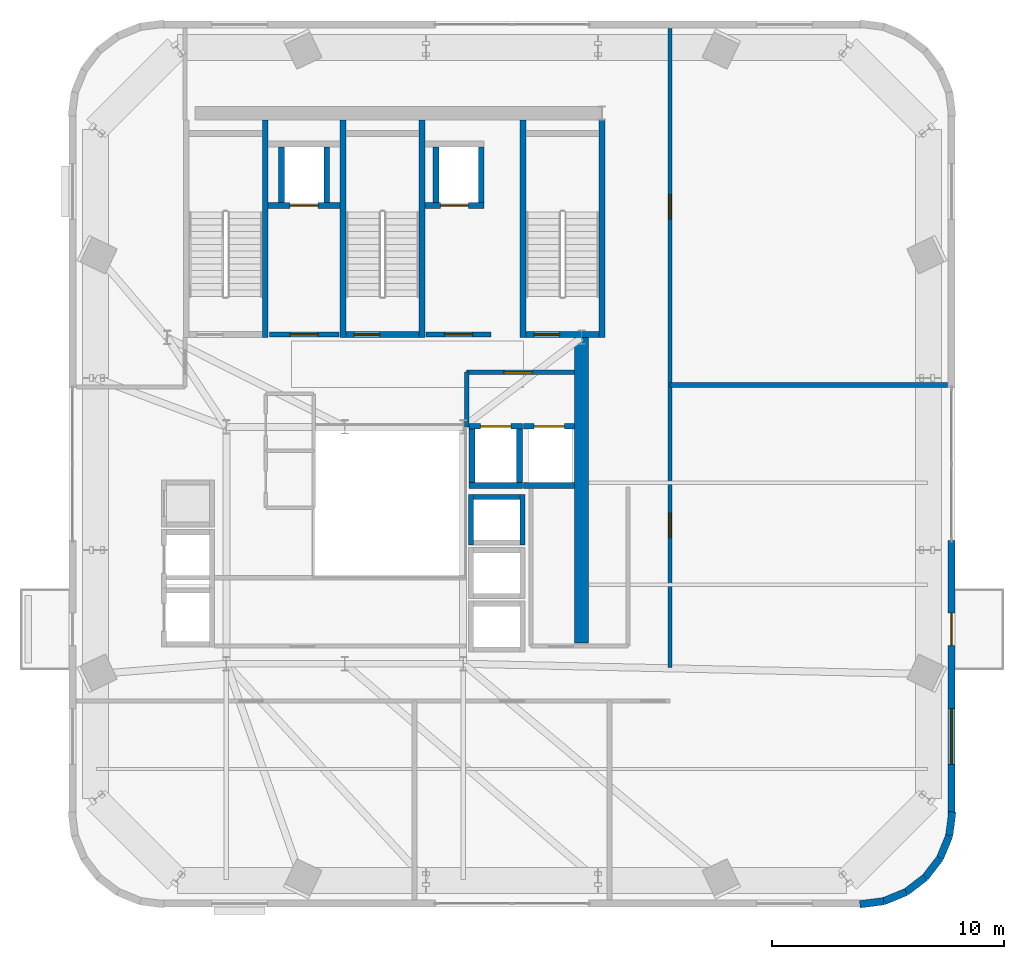
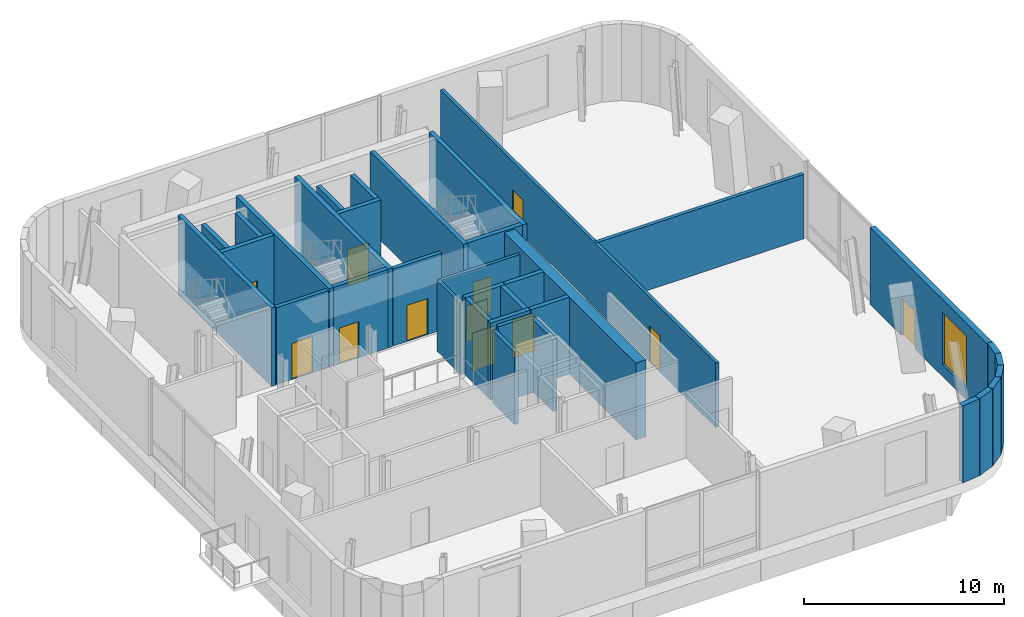
# One storey, part 7 of 11: 36 walls, 12 doors, 1 window, 13 openings.
"""IFC4 building model written with IfcOpenShell, lengths in metres."""

from ifc_helpers import new_model, si_unit, direction, frame, frame_2d, origin, place, context, subcontext, project, spatial, rectangle, extrude, source, transform, mapped, material, layer, layer_set, type_object, element, fill, save


model = new_model("IFC4")

# Units and contexts
model_context = context("Model", 3, precision=1e-05, world=origin(), true_north=direction((0.0, 1.0)))
body_context = subcontext(model_context, "Body", "Model", "MODEL_VIEW")
ifc_project = project(units=[si_unit("LENGTHUNIT", "METRE"), si_unit("AREAUNIT", "SQUARE_METRE"), si_unit("VOLUMEUNIT", "CUBIC_METRE"), si_unit("PLANEANGLEUNIT", "RADIAN"), si_unit("MASSUNIT", "GRAM", prefix="KILO")], contexts=[model_context])

# Site, building, storey
site_placement = place(None, origin())
site = spatial("IfcSite", under=ifc_project, at=site_placement, CompositionType="ELEMENT")
building_placement = place(site_placement, origin())
building = spatial("IfcBuilding", under=site, at=building_placement, Name="Vardaveli Station Tower", CompositionType="ELEMENT")
storey_placement = place(building_placement, frame((0.0, 0.0, 286.14990234375)))
storey = spatial("IfcBuildingStorey", under=building, at=storey_placement, Name="L73", CompositionType="ELEMENT", Elevation=286.14990234375)

# Wall
ifc_material_1 = material(Name="Concrete C50/60", Category="concrete")
ifc_layer_1 = layer(ifc_material_1, 0.60009765625, Name="Concrete C50/60")
ifc_layer_set_1 = layer_set([ifc_layer_1], Name="Concrete C50/60")
wall_type_1 = type_object("IfcWallType", Name="WAL-CORE-600", PredefinedType="SHEAR", material=ifc_layer_set_1)
shared_shape_1 = source(origin(), body_context, "Body", "SweptSolid", [
    extrude(rectangle(XDim=13.14990234375, YDim=0.60009765625, at=frame_2d((6.574951171875, 0.0))), origin(), (0.0, 0.0, 1.0), 4.7001953125),
])
wall_1_placement = place(storey_placement, frame((46.5, 17.5, 0.0), z_axis=(0.0, 0.0, 1.0), x_axis=(0.0, 1.0, 0.0)))
element("IfcWall", 1, at=wall_1_placement, inside=storey, type_object=wall_type_1, Name="SW-L73-EAST2", PredefinedType="SHEAR", context=body_context, shape_type="MappedRepresentation", body=[
    mapped(shared_shape_1, transform((0.0, 0.0, 0.0), scale=1.0)),
])

# Wall, openings, door, window
ifc_material_2 = material(Name="Precast concrete C45/55", Category="concrete")
ifc_layer_2 = layer(ifc_material_2, 0.320068359375, Name="Precast concrete C45/55")
ifc_layer_set_2 = layer_set([ifc_layer_2], Name="Precast concrete C45/55")
wall_type_2 = type_object("IfcWallType", Name="WAL-EXT-STONE-320", PredefinedType="SOLIDWALL", material=ifc_layer_set_2)
shared_shape_2 = source(origin(), body_context, "Body", "SweptSolid", [
    extrude(rectangle(XDim=11.77294921875, YDim=0.320068359375, at=frame_2d((5.886474609375, 0.0))), origin(), (0.0, 0.0, 1.0), 4.7001953125),
])
wall_2_placement = place(storey_placement, frame((62.419921875, 10.126953125, 0.0), z_axis=(0.0, 0.0, 1.0), x_axis=(0.0, 1.0, 0.0)))
wall_2 = element("IfcWall", 2, at=wall_2_placement, inside=storey, type_object=wall_type_2, Name="EW-L73-E1", PredefinedType="SOLIDWALL", context=body_context, shape_type="MappedRepresentation", body=[
    mapped(shared_shape_2, transform((0.0, 0.0, 0.0), scale=1.0)),
])
shared_shape_3 = source(origin(), body_context, "Body", "SweptSolid", [
    extrude(rectangle(XDim=1.39990234375, YDim=2.300048828125, at=frame_2d((0.699951171875, 1.14990234375))), frame((0.0, 0.169921875, 0.0), z_axis=(0.0, -1.0, 0.0), x_axis=(1.0, 0.0, 0.0)), (0.0, 0.0, 1.0), 0.340087890625),
])
opening_1_placement = place(wall_2_placement, frame((7.2529296875, 0.0, 0.0)))
opening_1 = element("IfcOpeningElement", 3, at=opening_1_placement, cuts=wall_2, Name="Opening D-09", PredefinedType="OPENING", context=body_context, shape_type="MappedRepresentation", body=[
    mapped(shared_shape_3, transform((0.0, 0.0, 0.0), scale=1.0)),
])
shared_shape_4 = source(origin(), body_context, "Body", "SweptSolid", [
    extrude(rectangle(XDim=2.39990234375, YDim=3.199951171875, at=frame_2d((1.199951171875, 1.60009765625))), frame((0.0, 0.169921875, 0.0), z_axis=(0.0, -1.0, 0.0), x_axis=(1.0, 0.0, 0.0)), (0.0, 0.0, 1.0), 0.340087890625),
])
opening_2_placement = place(wall_2_placement, frame((2.1396484375, 0.0, 0.719970703125)))
opening_2 = element("IfcOpeningElement", 4, at=opening_2_placement, cuts=wall_2, Name="Opening W-06", PredefinedType="OPENING", context=body_context, shape_type="MappedRepresentation", body=[
    mapped(shared_shape_4, transform((0.0, 0.0, 0.0), scale=1.0)),
])
ifc_material_3 = material(Name="Thermally broken aluminium glass", Category="aluminium")
door_type_1 = type_object("IfcDoorType", Name="DR-LOG-1400x2300", OperationType="DOUBLE_DOOR_SLIDING", PredefinedType="DOOR", material=ifc_material_3)
shared_shape_5 = source(origin(), body_context, "Body", "SweptSolid", [
    extrude(rectangle(XDim=1.39990234375, YDim=2.300048828125, at=frame_2d((0.699951171875, 1.14990234375))), frame((0.0, 0.02490234375, 0.0), z_axis=(0.0, -1.0, 0.0), x_axis=(1.0, 0.0, 0.0)), (0.0, 0.0, 1.0), 0.050048828125),
])
door_1_placement = place(opening_1_placement, frame((1.39990234375, 0.0, 0.0), z_axis=(0.0, 0.0, 1.0), x_axis=(-1.0, 0.0, 0.0)))
door_1 = element("IfcDoor", 5, at=door_1_placement, inside=storey, type_object=door_type_1, Name="DLG-L73-E", OperationType="DOUBLE_DOOR_SLIDING", OverallHeight=2.300048828125, OverallWidth=1.39990234375, PredefinedType="DOOR", context=body_context, shape_type="MappedRepresentation", body=[
    mapped(shared_shape_5, transform((0.0, 0.0, 0.0), scale=1.0)),
])
fill(opening_1, door_1)
ifc_material_4 = material(Name="Low-iron tempered belvedere glass", Category="glass")
window_type = type_object("IfcWindowType", Name="WIN-OBS-2400x3200", PartitioningType="SINGLE_PANEL", PredefinedType="WINDOW", material=ifc_material_4)
shared_shape_6 = source(origin(), body_context, "Body", "SweptSolid", [
    extrude(rectangle(XDim=2.39990234375, YDim=3.199951171875, at=frame_2d((1.199951171875, 1.60009765625))), frame((0.0, 0.030029296875, 0.0), z_axis=(0.0, -1.0, 0.0), x_axis=(1.0, 0.0, 0.0)), (0.0, 0.0, 1.0), 0.06005859375),
])
window_placement = place(opening_2_placement, origin())
window = element("IfcWindow", 6, at=window_placement, inside=storey, type_object=window_type, Name="WN-L73-E1", OverallHeight=3.199951171875, OverallWidth=2.39990234375, PartitioningType="SINGLE_PANEL", PredefinedType="WINDOW", context=body_context, shape_type="MappedRepresentation", body=[
    mapped(shared_shape_6, transform((0.0, 0.0, 0.0), scale=1.0)),
])
fill(opening_2, window)

# Walls
shared_shape_7 = source(origin(), body_context, "Body", "SweptSolid", [
    extrude(rectangle(XDim=1.041015625, YDim=0.320068359375, at=frame_2d((0.5205078125, 0.0))), origin(), (0.0, 0.0, 1.0), 4.7001953125),
])
for number, where, z_axis, x_axis, name in (
    (7, (58.473876953125, 6.24560546875, 0.0), (0.0, 0.0, 1.0), (0.991827721806, 0.127584365255, 0.0), "EW-L73-CR2-1"),
    (8, (62.321533203125, 9.193603515625, 0.0), (0.0, 0.0, 1.0), (0.127584365255, 0.991827721806, 0.0), "EW-L73-CR2-6"),
):
    element("IfcWall", number, at=place(storey_placement, frame(where, z_axis=z_axis, x_axis=x_axis)), inside=storey, type_object=wall_type_2, Name=name, PredefinedType="SOLIDWALL", context=body_context, shape_type="MappedRepresentation", body=[
        mapped(shared_shape_7, transform((0.0, 0.0, 0.0), scale=1.0)),
    ])
shared_shape_8 = source(origin(), body_context, "Body", "SweptSolid", [
    extrude(rectangle(XDim=1.0400390625, YDim=0.320068359375, at=frame_2d((0.52001953125, 0.0))), origin(), (0.0, 0.0, 1.0), 4.7001953125),
])
for number, where, z_axis, x_axis, name in (
    (9, (59.50634765625, 6.37841796875, 0.0), (0.0, 0.0, 1.0), (0.92467323675, 0.380761612086, 0.0), "EW-L73-CR2-2"),
    (10, (61.925537109375, 8.23193359375, 0.0), (0.0, 0.0, 1.0), (0.380761612086, 0.92467323675, 0.0), "EW-L73-CR2-5"),
):
    element("IfcWall", number, at=place(storey_placement, frame(where, z_axis=z_axis, x_axis=x_axis)), inside=storey, type_object=wall_type_2, Name=name, PredefinedType="SOLIDWALL", context=body_context, shape_type="MappedRepresentation", body=[
        mapped(shared_shape_8, transform((0.0, 0.0, 0.0), scale=1.0)),
    ])
shared_shape_9 = source(origin(), body_context, "Body", "SweptSolid", [
    extrude(rectangle(XDim=1.03955078125, YDim=0.320068359375, at=frame_2d((0.519775390625, 0.0))), origin(), (0.0, 0.0, 1.0), 4.7001953125),
])
for number, where, z_axis, x_axis, name in (
    (11, (60.468017578125, 6.7744140625, 0.0), (0.0, 0.0, 1.0), (0.793757528074, 0.608234318849, 0.0), "EW-L73-CR2-3"),
    (12, (61.293212890625, 7.40673828125, 0.0), (0.0, 0.0, 1.0), (0.608234318849, 0.793757528074, 0.0), "EW-L73-CR2-4"),
):
    element("IfcWall", number, at=place(storey_placement, frame(where, z_axis=z_axis, x_axis=x_axis)), inside=storey, type_object=wall_type_2, Name=name, PredefinedType="SOLIDWALL", context=body_context, shape_type="MappedRepresentation", body=[
        mapped(shared_shape_9, transform((0.0, 0.0, 0.0), scale=1.0)),
    ])

# Wall, opening, door
ifc_material_5 = material(Name="Concrete C40/50", Category="concrete")
ifc_layer_3 = layer(ifc_material_5, 0.25, Name="Concrete C40/50")
ifc_layer_set_3 = layer_set([ifc_layer_3], Name="Concrete C40/50")
wall_type_3 = type_object("IfcWallType", Name="WAL-SHAFT-250", PredefinedType="SOLIDWALL", material=ifc_layer_set_3)
shared_shape_10 = source(origin(), body_context, "Body", "SweptSolid", [
    extrude(rectangle(XDim=3.14990234375, YDim=0.25, at=frame_2d((1.574951171875, 0.0))), origin(), (0.0, 0.0, 1.0), 4.800048828125),
])
wall_3_placement = place(storey_placement, frame((36.35009765625, 30.77490234375, 0.0), z_axis=(0.0, 0.0, 1.0), x_axis=(1.0, 0.0, 0.0)))
wall_3 = element("IfcWall", 13, at=wall_3_placement, inside=storey, type_object=wall_type_3, Name="W-L73-ST-2S", PredefinedType="SOLIDWALL", context=body_context, shape_type="MappedRepresentation", body=[
    mapped(shared_shape_10, transform((0.0, 0.0, 0.0), scale=1.0)),
])
shared_shape_11 = source(origin(), body_context, "Body", "SweptSolid", [
    extrude(rectangle(XDim=1.10009765625, YDim=2.199951171875, at=frame_2d((0.550048828125, 1.10009765625))), frame((0.0, 0.135009765625, 0.0), z_axis=(0.0, -1.0, 0.0), x_axis=(1.0, 0.0, 0.0)), (0.0, 0.0, 1.0), 0.27001953125),
])
opening_3_placement = place(wall_3_placement, frame((0.35009765625, 0.0, 0.0)))
opening_3 = element("IfcOpeningElement", 14, at=opening_3_placement, cuts=wall_3, Name="Opening D-04", PredefinedType="OPENING", context=body_context, shape_type="MappedRepresentation", body=[
    mapped(shared_shape_11, transform((0.0, 0.0, 0.0), scale=1.0)),
])
ifc_material_6 = material(Name="Steel smokeproof fire doorset", Category="steel")
door_type_2 = type_object("IfcDoorType", Name="DR-ST-1100x2200", OperationType="NOTDEFINED", PredefinedType="DOOR", material=ifc_material_6)
shared_shape_12 = source(origin(), body_context, "Body", "SweptSolid", [
    extrude(rectangle(XDim=1.10009765625, YDim=2.199951171875, at=frame_2d((0.550048828125, 1.10009765625))), frame((0.0, 0.02490234375, 0.0), z_axis=(0.0, -1.0, 0.0), x_axis=(1.0, 0.0, 0.0)), (0.0, 0.0, 1.0), 0.050048828125),
])
door_2_placement = place(opening_3_placement, origin())
door_2 = element("IfcDoor", 15, at=door_2_placement, inside=storey, type_object=door_type_2, Name="DST-2-L73", OperationType="SINGLE_SWING_LEFT", OverallHeight=2.199951171875, OverallWidth=1.10009765625, PredefinedType="DOOR", context=body_context, shape_type="MappedRepresentation", body=[
    mapped(shared_shape_12, transform((0.0, 0.0, 0.0), scale=1.0)),
])
fill(opening_3, door_2)

wall_4_placement = place(storey_placement, frame((44.10009765625, 30.77490234375, 0.0), z_axis=(0.0, 0.0, 1.0), x_axis=(1.0, 0.0, 0.0)))
wall_4 = element("IfcWall", 16, at=wall_4_placement, inside=storey, type_object=wall_type_3, Name="W-L73-ST-3S", PredefinedType="SOLIDWALL", context=body_context, shape_type="MappedRepresentation", body=[
    mapped(shared_shape_10, transform((0.0, 0.0, 0.0), scale=1.0)),
])
opening_4_placement = place(wall_4_placement, frame((0.35009765625, 0.0, 0.0)))
opening_4 = element("IfcOpeningElement", 17, at=opening_4_placement, cuts=wall_4, Name="Opening D-04", PredefinedType="OPENING", context=body_context, shape_type="MappedRepresentation", body=[
    mapped(shared_shape_11, transform((0.0, 0.0, 0.0), scale=1.0)),
])
door_3_placement = place(opening_4_placement, origin())
door_3 = element("IfcDoor", 18, at=door_3_placement, inside=storey, type_object=door_type_2, Name="DST-3-L73", OperationType="SINGLE_SWING_LEFT", OverallHeight=2.199951171875, OverallWidth=1.10009765625, PredefinedType="DOOR", context=body_context, shape_type="MappedRepresentation", body=[
    mapped(shared_shape_12, transform((0.0, 0.0, 0.0), scale=1.0)),
])
fill(opening_4, door_3)

# Walls
shared_shape_13 = source(origin(), body_context, "Body", "SweptSolid", [
    extrude(rectangle(XDim=9.35009765625, YDim=0.25, at=frame_2d((4.675048828125, 0.0))), origin(), (0.0, 0.0, 1.0), 4.800048828125),
])
for number, where, z_axis, x_axis, name in (
    (19, (32.875, 30.64990234375, 0.0), (0.0, 0.0, 1.0), (0.0, 1.0, 0.0), "W-L73-ST-1E"),
    (20, (36.22509765625, 30.64990234375, 0.0), (0.0, 0.0, 1.0), (0.0, 1.0, 0.0), "W-L73-ST-2W"),
    (21, (39.625, 30.64990234375, 0.0), (0.0, 0.0, 1.0), (0.0, 1.0, 0.0), "W-L73-ST-2E"),
    (22, (43.97509765625, 30.64990234375, 0.0), (0.0, 0.0, 1.0), (0.0, 1.0, 0.0), "W-L73-ST-3W"),
    (23, (47.375, 30.64990234375, 0.0), (0.0, 0.0, 1.0), (0.0, 1.0, 0.0), "W-L73-ST-3E"),
):
    element("IfcWall", number, at=place(storey_placement, frame(where, z_axis=z_axis, x_axis=x_axis)), inside=storey, type_object=wall_type_3, Name=name, PredefinedType="SOLIDWALL", context=body_context, shape_type="MappedRepresentation", body=[
        mapped(shared_shape_13, transform((0.0, 0.0, 0.0), scale=1.0)),
    ])

# Wall, opening, door
ifc_layer_4 = layer(ifc_material_5, 0.219970703125, Name="Concrete C40/50")
ifc_layer_set_4 = layer_set([ifc_layer_4], Name="Concrete C40/50")
wall_type_4 = type_object("IfcWallType", Name="WAL-FFLOBBY-220", PredefinedType="SOLIDWALL", material=ifc_layer_set_4)
shared_shape_14 = source(origin(), body_context, "Body", "SweptSolid", [
    extrude(rectangle(XDim=3.0, YDim=0.219970703125, at=frame_2d((1.5, 0.0))), origin(), (0.0, 0.0, 1.0), 4.7001953125),
])
wall_5_placement = place(storey_placement, frame((33.050048828125, 30.780029296875, 0.0), z_axis=(0.0, 0.0, 1.0), x_axis=(1.0, 0.0, 0.0)))
wall_5 = element("IfcWall", 24, at=wall_5_placement, inside=storey, type_object=wall_type_4, Name="W-L73-FFL1S", PredefinedType="SOLIDWALL", context=body_context, shape_type="MappedRepresentation", body=[
    mapped(shared_shape_14, transform((0.0, 0.0, 0.0), scale=1.0)),
])
shared_shape_15 = source(origin(), body_context, "Body", "SweptSolid", [
    extrude(rectangle(XDim=1.199951171875, YDim=2.199951171875, at=frame_2d((0.60009765625, 1.10009765625))), frame((0.0, 0.1201171875, 0.0), z_axis=(0.0, -1.0, 0.0), x_axis=(1.0, 0.0, 0.0)), (0.0, 0.0, 1.0), 0.239990234375),
])
opening_5_placement = place(wall_5_placement, frame((0.89990234375, 0.0, 0.0)))
opening_5 = element("IfcOpeningElement", 25, at=opening_5_placement, cuts=wall_5, Name="Opening D-03", PredefinedType="OPENING", context=body_context, shape_type="MappedRepresentation", body=[
    mapped(shared_shape_15, transform((0.0, 0.0, 0.0), scale=1.0)),
])
door_type_3 = type_object("IfcDoorType", Name="DR-FFL-1200x2200", OperationType="NOTDEFINED", PredefinedType="DOOR", material=ifc_material_6)
shared_shape_16 = source(origin(), body_context, "Body", "SweptSolid", [
    extrude(rectangle(XDim=1.199951171875, YDim=2.199951171875, at=frame_2d((0.60009765625, 1.10009765625))), frame((0.0, 0.02490234375, 0.0), z_axis=(0.0, -1.0, 0.0), x_axis=(1.0, 0.0, 0.0)), (0.0, 0.0, 1.0), 0.050048828125),
])
door_4_placement = place(opening_5_placement, origin())
door_4 = element("IfcDoor", 26, at=door_4_placement, inside=storey, type_object=door_type_3, Name="DFFL1-L73", OperationType="SINGLE_SWING_LEFT", OverallHeight=2.199951171875, OverallWidth=1.199951171875, PredefinedType="DOOR", context=body_context, shape_type="MappedRepresentation", body=[
    mapped(shared_shape_16, transform((0.0, 0.0, 0.0), scale=1.0)),
])
fill(opening_5, door_4)

shared_shape_17 = source(origin(), body_context, "Body", "SweptSolid", [
    extrude(rectangle(XDim=2.800048828125, YDim=0.219970703125, at=frame_2d((1.39990234375, 0.0))), origin(), (0.0, 0.0, 1.0), 4.7001953125),
])
wall_6_placement = place(storey_placement, frame((39.800048828125, 30.780029296875, 0.0), z_axis=(0.0, 0.0, 1.0), x_axis=(1.0, 0.0, 0.0)))
wall_6 = element("IfcWall", 27, at=wall_6_placement, inside=storey, type_object=wall_type_4, Name="W-L73-FFL2S", PredefinedType="SOLIDWALL", context=body_context, shape_type="MappedRepresentation", body=[
    mapped(shared_shape_17, transform((0.0, 0.0, 0.0), scale=1.0)),
])
opening_6_placement = place(wall_6_placement, frame((0.800048828125, 0.0, 0.0)))
opening_6 = element("IfcOpeningElement", 28, at=opening_6_placement, cuts=wall_6, Name="Opening D-03", PredefinedType="OPENING", context=body_context, shape_type="MappedRepresentation", body=[
    mapped(shared_shape_15, transform((0.0, 0.0, 0.0), scale=1.0)),
])
door_5_placement = place(opening_6_placement, origin())
door_5 = element("IfcDoor", 29, at=door_5_placement, inside=storey, type_object=door_type_3, Name="DFFL2-L73", OperationType="SINGLE_SWING_RIGHT", OverallHeight=2.199951171875, OverallWidth=1.199951171875, PredefinedType="DOOR", context=body_context, shape_type="MappedRepresentation", body=[
    mapped(shared_shape_16, transform((0.0, 0.0, 0.0), scale=1.0)),
])
fill(opening_6, door_5)

shared_shape_18 = source(origin(), body_context, "Body", "SweptSolid", [
    extrude(rectangle(XDim=3.10009765625, YDim=0.25, at=frame_2d((1.550048828125, 0.0))), origin(), (0.0, 0.0, 1.0), 4.7001953125),
])
wall_7_placement = place(storey_placement, frame((33.0, 36.324951171875, 0.0), z_axis=(0.0, 0.0, 1.0), x_axis=(1.0, 0.0, 0.0)))
wall_7 = element("IfcWall", 30, at=wall_7_placement, inside=storey, type_object=wall_type_3, Name="SHW-FFL-01-L73-S", PredefinedType="SOLIDWALL", context=body_context, shape_type="MappedRepresentation", body=[
    mapped(shared_shape_18, transform((0.0, 0.0, 0.0), scale=1.0)),
])
shared_shape_19 = source(origin(), body_context, "Body", "SweptSolid", [
    extrude(rectangle(XDim=1.199951171875, YDim=2.25, at=frame_2d((0.60009765625, 1.125))), frame((0.0, 0.135009765625, 0.0), z_axis=(0.0, -1.0, 0.0), x_axis=(1.0, 0.0, 0.0)), (0.0, 0.0, 1.0), 0.27001953125),
])
opening_7_placement = place(wall_7_placement, frame((0.949951171875, 0.0, 0.0)))
opening_7 = element("IfcOpeningElement", 31, at=opening_7_placement, cuts=wall_7, Name="Opening LD-02", PredefinedType="OPENING", context=body_context, shape_type="MappedRepresentation", body=[
    mapped(shared_shape_19, transform((0.0, 0.0, 0.0), scale=1.0)),
])
ifc_material_7 = material(Name="Brushed stainless steel", Category="steel")
door_type_4 = type_object("IfcDoorType", Name="DR-LD-1200x2250", OperationType="DOUBLE_DOOR_SLIDING", PredefinedType="DOOR", material=ifc_material_7)
shared_shape_20 = source(origin(), body_context, "Body", "SweptSolid", [
    extrude(rectangle(XDim=1.199951171875, YDim=2.25, at=frame_2d((0.60009765625, 1.125))), frame((0.0, 0.02490234375, 0.0), z_axis=(0.0, -1.0, 0.0), x_axis=(1.0, 0.0, 0.0)), (0.0, 0.0, 1.0), 0.050048828125),
])
door_6_placement = place(opening_7_placement, origin())
door_6 = element("IfcDoor", 32, at=door_6_placement, inside=storey, type_object=door_type_4, Name="LD-FFL-01-L73", OperationType="DOUBLE_DOOR_SLIDING", OverallHeight=2.25, OverallWidth=1.199951171875, PredefinedType="DOOR", context=body_context, shape_type="MappedRepresentation", body=[
    mapped(shared_shape_20, transform((0.0, 0.0, 0.0), scale=1.0)),
])
fill(opening_7, door_6)

# Walls
shared_shape_21 = source(origin(), body_context, "Body", "SweptSolid", [
    extrude(rectangle(XDim=2.400146484375, YDim=0.25, at=frame_2d((1.2001953125, 0.0))), origin(), (0.0, 0.0, 1.0), 4.7001953125),
])
for number, where, z_axis, x_axis, name in (
    (33, (33.574951171875, 36.449951171875, 0.0), (0.0, 0.0, 1.0), (0.0, 1.0, 0.0), "SHW-FFL-01-L73-W"),
    (34, (35.52490234375, 36.449951171875, 0.0), (0.0, 0.0, 1.0), (0.0, 1.0, 0.0), "SHW-FFL-01-L73-E"),
    (35, (40.22509765625, 36.449951171875, 0.0), (0.0, 0.0, 1.0), (0.0, 1.0, 0.0), "SHW-FFL-02-L73-W"),
    (36, (42.175048828125, 36.449951171875, 0.0), (0.0, 0.0, 1.0), (0.0, 1.0, 0.0), "SHW-FFL-02-L73-E"),
):
    element("IfcWall", number, at=place(storey_placement, frame(where, z_axis=z_axis, x_axis=x_axis)), inside=storey, type_object=wall_type_3, Name=name, PredefinedType="SOLIDWALL", context=body_context, shape_type="MappedRepresentation", body=[
        mapped(shared_shape_21, transform((0.0, 0.0, 0.0), scale=1.0)),
    ])

# Wall, opening, door
shared_shape_22 = source(origin(), body_context, "Body", "SweptSolid", [
    extrude(rectangle(XDim=2.550048828125, YDim=0.25, at=frame_2d((1.27490234375, 0.0))), origin(), (0.0, 0.0, 1.0), 4.7001953125),
])
wall_8_placement = place(storey_placement, frame((39.75, 36.324951171875, 0.0), z_axis=(0.0, 0.0, 1.0), x_axis=(1.0, 0.0, 0.0)))
wall_8 = element("IfcWall", 37, at=wall_8_placement, inside=storey, type_object=wall_type_3, Name="SHW-FFL-02-L73-S", PredefinedType="SOLIDWALL", context=body_context, shape_type="MappedRepresentation", body=[
    mapped(shared_shape_22, transform((0.0, 0.0, 0.0), scale=1.0)),
])
opening_8_placement = place(wall_8_placement, frame((0.675048828125, 0.0, 0.0)))
opening_8 = element("IfcOpeningElement", 38, at=opening_8_placement, cuts=wall_8, Name="Opening LD-02", PredefinedType="OPENING", context=body_context, shape_type="MappedRepresentation", body=[
    mapped(shared_shape_19, transform((0.0, 0.0, 0.0), scale=1.0)),
])
door_7_placement = place(opening_8_placement, origin())
door_7 = element("IfcDoor", 39, at=door_7_placement, inside=storey, type_object=door_type_4, Name="LD-FFL-02-L73", OperationType="DOUBLE_DOOR_SLIDING", OverallHeight=2.25, OverallWidth=1.199951171875, PredefinedType="DOOR", context=body_context, shape_type="MappedRepresentation", body=[
    mapped(shared_shape_20, transform((0.0, 0.0, 0.0), scale=1.0)),
])
fill(opening_8, door_7)

# Walls
shared_shape_23 = source(origin(), body_context, "Body", "SweptSolid", [
    extrude(rectangle(XDim=2.0, YDim=0.219970703125, at=frame_2d((1.0, 0.0))), origin(), (0.0, 0.0, 1.0), 4.7001953125),
])
wall_9_placement = place(storey_placement, frame((41.85009765625, 23.784912109375, 0.0), z_axis=(0.0, 0.0, 1.0), x_axis=(1.0, 0.0, 0.0)))
element("IfcWall", 40, at=wall_9_placement, inside=storey, type_object=wall_type_4, Name="SHW-HL3-01-L73-N", PredefinedType="SOLIDWALL", context=body_context, shape_type="MappedRepresentation", body=[
    mapped(shared_shape_23, transform((0.0, 0.0, 0.0), scale=1.0)),
])
shared_shape_24 = source(origin(), body_context, "Body", "SweptSolid", [
    extrude(rectangle(XDim=2.18994140625, YDim=0.219970703125, at=frame_2d((1.094970703125, 0.0))), origin(), (0.0, 0.0, 1.0), 4.422119140625),
])
for number, where, z_axis, x_axis, name in (
    (41, (41.739990234375, 21.705078125, 0.0), (0.0, 0.0, 1.0), (0.0, 1.0, 0.0), "SHW-HL3-01-L73-W"),
    (42, (43.9599609375, 21.705078125, 0.0), (0.0, 0.0, 1.0), (0.0, 1.0, 0.0), "SHW-HL3-01-L73-E"),
):
    element("IfcWall", number, at=place(storey_placement, frame(where, z_axis=z_axis, x_axis=x_axis)), inside=storey, type_object=wall_type_4, Name=name, PredefinedType="SOLIDWALL", context=body_context, shape_type="MappedRepresentation", body=[
        mapped(shared_shape_24, transform((0.0, 0.0, 0.0), scale=1.0)),
    ])
shared_shape_25 = source(origin(), body_context, "Body", "SweptSolid", [
    extrude(rectangle(XDim=2.300048828125, YDim=0.25, at=frame_2d((1.14990234375, 0.0))), origin(), (0.0, 0.0, 1.0), 4.7001953125),
])
wall_10_placement = place(storey_placement, frame((41.64990234375, 24.27490234375, 0.0), z_axis=(0.0, 0.0, 1.0), x_axis=(1.0, 0.0, 0.0)))
element("IfcWall", 43, at=wall_10_placement, inside=storey, type_object=wall_type_3, Name="SHW-SRV-01-L73-S", PredefinedType="SOLIDWALL", context=body_context, shape_type="MappedRepresentation", body=[
    mapped(shared_shape_25, transform((0.0, 0.0, 0.0), scale=1.0)),
])

# Wall, opening, door
wall_11_placement = place(storey_placement, frame((41.64990234375, 26.824951171875, 0.0), z_axis=(0.0, 0.0, 1.0), x_axis=(1.0, 0.0, 0.0)))
wall_11 = element("IfcWall", 44, at=wall_11_placement, inside=storey, type_object=wall_type_3, Name="SHW-SRV-01-L73-N", PredefinedType="SOLIDWALL", context=body_context, shape_type="MappedRepresentation", body=[
    mapped(shared_shape_25, transform((0.0, 0.0, 0.0), scale=1.0)),
])
shared_shape_26 = source(origin(), body_context, "Body", "SweptSolid", [
    extrude(rectangle(XDim=1.300048828125, YDim=2.300048828125, at=frame_2d((0.64990234375, 1.14990234375))), frame((0.0, 0.135009765625, 0.0), z_axis=(0.0, -1.0, 0.0), x_axis=(1.0, 0.0, 0.0)), (0.0, 0.0, 1.0), 0.27001953125),
])
opening_9_placement = place(wall_11_placement, frame((0.5, 0.0, 0.0)))
opening_9 = element("IfcOpeningElement", 45, at=opening_9_placement, cuts=wall_11, Name="Opening LD-03", PredefinedType="OPENING", context=body_context, shape_type="MappedRepresentation", body=[
    mapped(shared_shape_26, transform((0.0, 0.0, 0.0), scale=1.0)),
])
door_type_5 = type_object("IfcDoorType", Name="DR-LD-1300x2300", OperationType="DOUBLE_DOOR_SLIDING", PredefinedType="DOOR", material=ifc_material_7)
shared_shape_27 = source(origin(), body_context, "Body", "SweptSolid", [
    extrude(rectangle(XDim=1.300048828125, YDim=2.300048828125, at=frame_2d((0.64990234375, 1.14990234375))), frame((0.0, 0.02490234375, 0.0), z_axis=(0.0, -1.0, 0.0), x_axis=(1.0, 0.0, 0.0)), (0.0, 0.0, 1.0), 0.050048828125),
])
door_8_placement = place(opening_9_placement, origin())
door_8 = element("IfcDoor", 46, at=door_8_placement, inside=storey, type_object=door_type_5, Name="LD-SRV-01-L73", OperationType="DOUBLE_DOOR_SLIDING", OverallHeight=2.300048828125, OverallWidth=1.300048828125, PredefinedType="DOOR", context=body_context, shape_type="MappedRepresentation", body=[
    mapped(shared_shape_27, transform((0.0, 0.0, 0.0), scale=1.0)),
])
fill(opening_9, door_8)

# Walls
for number, where, z_axis, x_axis, name in (
    (47, (41.77490234375, 24.39990234375, 0.0), (0.0, 0.0, 1.0), (0.0, 1.0, 0.0), "SHW-SRV-01-L73-W"),
    (48, (43.824951171875, 24.39990234375, 0.0), (0.0, 0.0, 1.0), (0.0, 1.0, 0.0), "SHW-SRV-01-L73-E"),
):
    element("IfcWall", number, at=place(storey_placement, frame(where, z_axis=z_axis, x_axis=x_axis)), inside=storey, type_object=wall_type_3, Name=name, PredefinedType="SOLIDWALL", context=body_context, shape_type="MappedRepresentation", body=[
        mapped(shared_shape_25, transform((0.0, 0.0, 0.0), scale=1.0)),
    ])
shared_shape_28 = source(origin(), body_context, "Body", "SweptSolid", [
    extrude(rectangle(XDim=2.199951171875, YDim=0.25, at=frame_2d((1.10009765625, 0.0))), origin(), (0.0, 0.0, 1.0), 4.7001953125),
])
wall_12_placement = place(storey_placement, frame((44.0, 24.27490234375, 0.0), z_axis=(0.0, 0.0, 1.0), x_axis=(1.0, 0.0, 0.0)))
element("IfcWall", 49, at=wall_12_placement, inside=storey, type_object=wall_type_3, Name="SHW-SRV-02-L73-S", PredefinedType="SOLIDWALL", context=body_context, shape_type="MappedRepresentation", body=[
    mapped(shared_shape_28, transform((0.0, 0.0, 0.0), scale=1.0)),
])

# Wall, opening, door
wall_13_placement = place(storey_placement, frame((44.0, 26.824951171875, 0.0), z_axis=(0.0, 0.0, 1.0), x_axis=(1.0, 0.0, 0.0)))
wall_13 = element("IfcWall", 50, at=wall_13_placement, inside=storey, type_object=wall_type_3, Name="SHW-SRV-02-L73-N", PredefinedType="SOLIDWALL", context=body_context, shape_type="MappedRepresentation", body=[
    mapped(shared_shape_28, transform((0.0, 0.0, 0.0), scale=1.0)),
])
opening_10_placement = place(wall_13_placement, frame((0.449951171875, 0.0, 0.0)))
opening_10 = element("IfcOpeningElement", 51, at=opening_10_placement, cuts=wall_13, Name="Opening LD-03", PredefinedType="OPENING", context=body_context, shape_type="MappedRepresentation", body=[
    mapped(shared_shape_26, transform((0.0, 0.0, 0.0), scale=1.0)),
])
door_9_placement = place(opening_10_placement, origin())
door_9 = element("IfcDoor", 52, at=door_9_placement, inside=storey, type_object=door_type_5, Name="LD-SRV-02-L73", OperationType="DOUBLE_DOOR_SLIDING", OverallHeight=2.300048828125, OverallWidth=1.300048828125, PredefinedType="DOOR", context=body_context, shape_type="MappedRepresentation", body=[
    mapped(shared_shape_27, transform((0.0, 0.0, 0.0), scale=1.0)),
])
fill(opening_10, door_9)

# Wall, openings, doors
ifc_material_8 = material(Name="Fire-rated gypsum stud partition")
ifc_layer_5 = layer(ifc_material_8, 0.179931640625, Name="Fire-rated gypsum stud partition")
ifc_layer_set_5 = layer_set([ifc_layer_5], Name="Fire-rated gypsum stud partition")
wall_type_5 = type_object("IfcWallType", Name="WAL-CORR-180", PredefinedType="PARTITIONING", material=ifc_layer_set_5)
shared_shape_29 = source(origin(), body_context, "Body", "SweptSolid", [
    extrude(rectangle(XDim=27.508056640625, YDim=0.179931640625, at=frame_2d((13.75390625, 0.0))), origin(), (0.0, 0.0, 1.0), 3.942138671875),
])
wall_14_placement = place(storey_placement, frame((50.300048828125, 16.449951171875, 0.0), z_axis=(0.0, 0.0, 1.0), x_axis=(0.0, 1.0, 0.0)))
wall_14 = element("IfcWall", 53, at=wall_14_placement, inside=storey, type_object=wall_type_5, Name="W-L73-EW", PredefinedType="PARTITIONING", context=body_context, shape_type="MappedRepresentation", body=[
    mapped(shared_shape_29, transform((0.0, 0.0, 0.0), scale=1.0)),
])
shared_shape_30 = source(origin(), body_context, "Body", "SweptSolid", [
    extrude(rectangle(XDim=1.050048828125, YDim=2.199951171875, at=frame_2d((0.52490234375, 1.10009765625))), frame((0.0, 0.10009765625, 0.0), z_axis=(0.0, -1.0, 0.0), x_axis=(1.0, 0.0, 0.0)), (0.0, 0.0, 1.0), 0.199951171875),
])
opening_11_placement = place(wall_14_placement, frame((5.580078125, 0.0, 0.0)))
opening_11 = element("IfcOpeningElement", 54, at=opening_11_placement, cuts=wall_14, Name="Opening D-05", PredefinedType="OPENING", context=body_context, shape_type="MappedRepresentation", body=[
    mapped(shared_shape_30, transform((0.0, 0.0, 0.0), scale=1.0)),
])
opening_12_placement = place(wall_14_placement, frame((19.294921875, 0.0, 0.0)))
opening_12 = element("IfcOpeningElement", 55, at=opening_12_placement, cuts=wall_14, Name="Opening D-05", PredefinedType="OPENING", context=body_context, shape_type="MappedRepresentation", body=[
    mapped(shared_shape_30, transform((0.0, 0.0, 0.0), scale=1.0)),
])
ifc_material_9 = material(Name="Walnut veneer acoustic fire door")
door_type_6 = type_object("IfcDoorType", Name="DR-SUITE-1050x2200", OperationType="NOTDEFINED", PredefinedType="DOOR", material=ifc_material_9)
shared_shape_31 = source(origin(), body_context, "Body", "SweptSolid", [
    extrude(rectangle(XDim=1.050048828125, YDim=2.199951171875, at=frame_2d((0.52490234375, 1.10009765625))), frame((0.0, 0.02490234375, 0.0), z_axis=(0.0, -1.0, 0.0), x_axis=(1.0, 0.0, 0.0)), (0.0, 0.0, 1.0), 0.050048828125),
])
door_10_placement = place(opening_11_placement, origin())
door_10 = element("IfcDoor", 56, at=door_10_placement, inside=storey, type_object=door_type_6, Name="D-L73-OB4", OperationType="SINGLE_SWING_RIGHT", OverallHeight=2.199951171875, OverallWidth=1.050048828125, PredefinedType="DOOR", context=body_context, shape_type="MappedRepresentation", body=[
    mapped(shared_shape_31, transform((0.0, 0.0, 0.0), scale=1.0)),
])
fill(opening_11, door_10)
door_11_placement = place(opening_12_placement, origin())
door_11 = element("IfcDoor", 57, at=door_11_placement, inside=storey, type_object=door_type_6, Name="D-L73-OB5", OperationType="SINGLE_SWING_LEFT", OverallHeight=2.199951171875, OverallWidth=1.050048828125, PredefinedType="DOOR", context=body_context, shape_type="MappedRepresentation", body=[
    mapped(shared_shape_31, transform((0.0, 0.0, 0.0), scale=1.0)),
])
fill(opening_12, door_11)

# Wall, opening, door
shared_shape_32 = source(origin(), body_context, "Body", "SweptSolid", [
    extrude(rectangle(XDim=4.64794921875, YDim=0.179931640625, at=frame_2d((2.323974609375, 0.0))), origin(), (0.0, 0.0, 1.0), 4.33203125),
])
wall_15_placement = place(storey_placement, frame((41.550048828125, 29.14990234375, 0.0), z_axis=(0.0, 0.0, 1.0), x_axis=(1.0, 0.0, 0.0)))
wall_15 = element("IfcWall", 58, at=wall_15_placement, inside=storey, type_object=wall_type_5, Name="W-L73-SVFN", PredefinedType="PARTITIONING", context=body_context, shape_type="MappedRepresentation", body=[
    mapped(shared_shape_32, transform((0.0, 0.0, 0.0), scale=1.0)),
])
shared_shape_33 = source(origin(), body_context, "Body", "SweptSolid", [
    extrude(rectangle(XDim=1.199951171875, YDim=2.199951171875, at=frame_2d((0.60009765625, 1.10009765625))), frame((0.0, 0.10009765625, 0.0), z_axis=(0.0, -1.0, 0.0), x_axis=(1.0, 0.0, 0.0)), (0.0, 0.0, 1.0), 0.199951171875),
])
opening_13_placement = place(wall_15_placement, frame((1.60009765625, 0.0, 0.0)))
opening_13 = element("IfcOpeningElement", 59, at=opening_13_placement, cuts=wall_15, Name="Opening D-03", PredefinedType="OPENING", context=body_context, shape_type="MappedRepresentation", body=[
    mapped(shared_shape_33, transform((0.0, 0.0, 0.0), scale=1.0)),
])
door_12_placement = place(opening_13_placement, origin())
door_12 = element("IfcDoor", 60, at=door_12_placement, inside=storey, type_object=door_type_3, Name="D-L73-SVF", OperationType="SINGLE_SWING_LEFT", OverallHeight=2.199951171875, OverallWidth=1.199951171875, PredefinedType="DOOR", context=body_context, shape_type="MappedRepresentation", body=[
    mapped(shared_shape_16, transform((0.0, 0.0, 0.0), scale=1.0)),
])
fill(opening_13, door_12)

# Walls
ifc_material_10 = material(Name="Acoustic twin-stud gypsum partition")
ifc_layer_6 = layer(ifc_material_10, 0.199951171875, Name="Acoustic twin-stud gypsum partition")
ifc_layer_set_6 = layer_set([ifc_layer_6], Name="Acoustic twin-stud gypsum partition")
wall_type_6 = type_object("IfcWallType", Name="WAL-PARTY-200", PredefinedType="PARTITIONING", material=ifc_layer_set_6)
shared_shape_34 = source(origin(), body_context, "Body", "SweptSolid", [
    extrude(rectangle(XDim=11.9580078125, YDim=0.199951171875, at=frame_2d((5.97900390625, 0.0))), origin(), (0.0, 0.0, 1.0), 3.942138671875),
])
wall_16_placement = place(storey_placement, frame((50.300048828125, 28.60009765625, 0.0), z_axis=(0.0, 0.0, 1.0), x_axis=(1.0, 0.0, 0.0)))
element("IfcWall", 61, at=wall_16_placement, inside=storey, type_object=wall_type_6, Name="W-L73-EM1", PredefinedType="PARTITIONING", context=body_context, shape_type="MappedRepresentation", body=[
    mapped(shared_shape_34, transform((0.0, 0.0, 0.0), scale=1.0)),
])
shared_shape_35 = source(origin(), body_context, "Body", "SweptSolid", [
    extrude(rectangle(XDim=2.349853515625, YDim=0.179931640625, at=frame_2d((1.1748046875, 0.0))), origin(), (0.0, 0.0, 1.0), 4.33203125),
])
wall_17_placement = place(storey_placement, frame((41.550048828125, 26.800048828125, 0.0), z_axis=(0.0, 0.0, 1.0), x_axis=(0.0, 1.0, 0.0)))
element("IfcWall", 62, at=wall_17_placement, inside=storey, type_object=wall_type_5, Name="W-L73-SVFW", PredefinedType="PARTITIONING", context=body_context, shape_type="MappedRepresentation", body=[
    mapped(shared_shape_35, transform((0.0, 0.0, 0.0), scale=1.0)),
])

save(model, "model.ifc")
